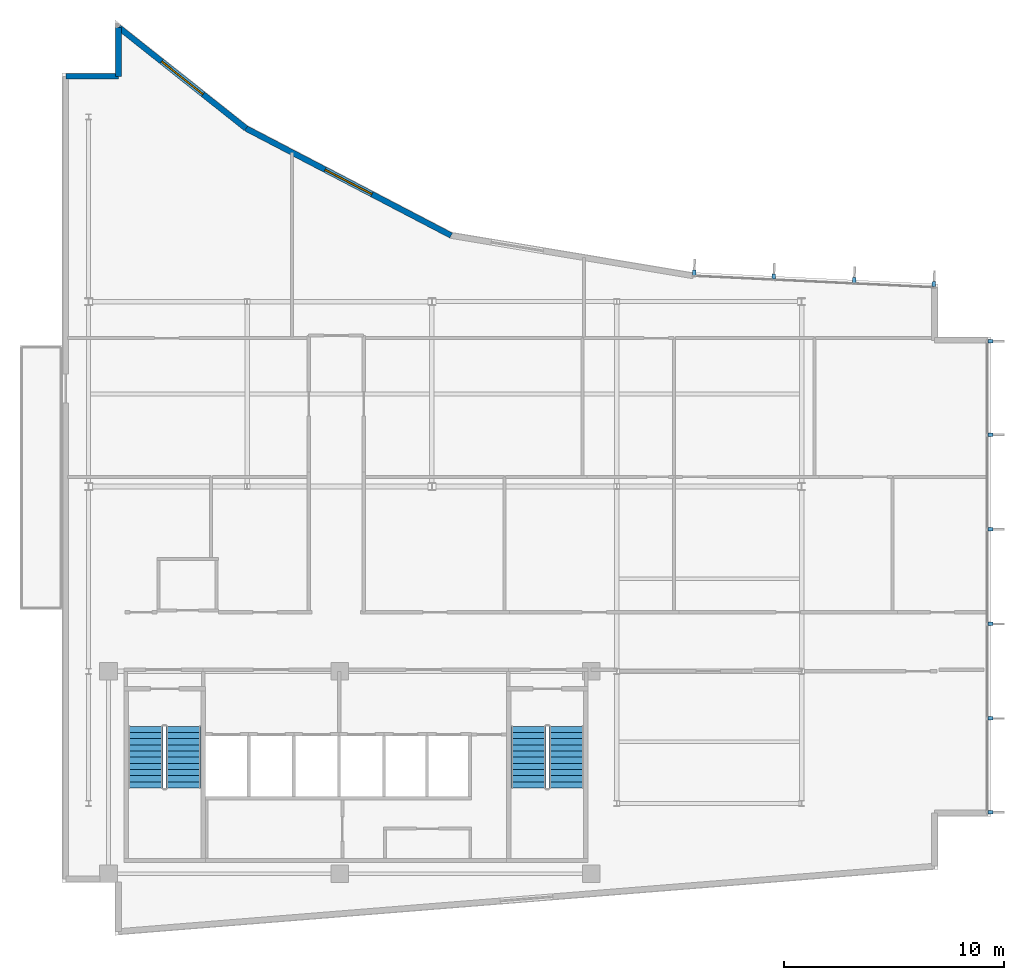
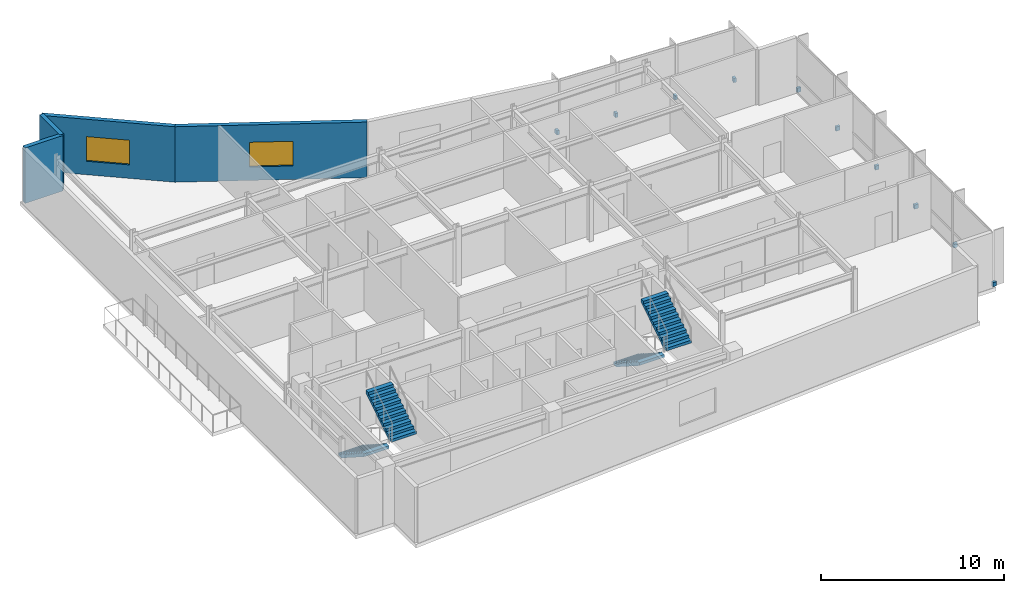
# One storey, part 13 of 16: 10 discrete accessories, 4 stair flights, 4 walls, 2 windows, 2 openings, 2 elements without a shape of their own.
"""IFC4 building model written with IfcOpenShell, lengths in metres."""

from ifc_helpers import new_model, si_unit, direction, frame, frame_2d, origin, origin_2d, place, context, subcontext, project, spatial, polyline, rectangle, outline, extrude, material, layer, layer_set, type_object, element, fill, aggregate, save


model = new_model("IFC4")

# Units and contexts
model_context = context("Model", 3, precision=1e-05, world=origin(), true_north=direction((0.0, 1.0)))
body_context = subcontext(model_context, "Body", "Model", "MODEL_VIEW")
ifc_project = project(units=[si_unit("LENGTHUNIT", "METRE"), si_unit("AREAUNIT", "SQUARE_METRE"), si_unit("VOLUMEUNIT", "CUBIC_METRE"), si_unit("PLANEANGLEUNIT", "RADIAN"), si_unit("MASSUNIT", "GRAM", prefix="KILO")], contexts=[model_context])

# Site, building, storey
site_placement = place(None, origin())
site = spatial("IfcSite", under=ifc_project, at=site_placement, CompositionType="ELEMENT")
building_placement = place(site_placement, origin())
building = spatial("IfcBuilding", under=site, at=building_placement, Name="Varnakote Quay Hospital", CompositionType="ELEMENT")
storey_placement = place(building_placement, frame((0.0, 0.0, 268.39990234375)))
storey = spatial("IfcBuildingStorey", under=building, at=storey_placement, Name="L66", CompositionType="ELEMENT", Elevation=268.39990234375)

# Wall, opening, window
ifc_material_1 = material(Name="Precast concrete N50 (f'c 50 MPa)", Category="concrete")
ifc_layer_1 = layer(ifc_material_1, 0.260009765625)
ifc_layer_set_1 = layer_set([ifc_layer_1], Name="Precast concrete N50 (f'c 50 MPa)")
wall_type = type_object("IfcWallType", Name="WL-EXT-BRICK-260", PredefinedType="STANDARD", material=ifc_layer_set_1)
wall_1_placement = place(storey_placement, frame((17.672607421875, 31.806396484375, 0.0), z_axis=(0.0, 0.0, 1.0), x_axis=(-0.886426635565, 0.462869117311, 0.0)))
wall_1 = element("IfcWall", 1, at=wall_1_placement, inside=storey, type_object=wall_type, Name="L66 Brick-Faced Precast Exterior Wall", PredefinedType="STANDARD", context=body_context, shape_type="SweptSolid", body=[
    extrude(rectangle(XDim=10.51416015625, YDim=0.260009765625, at=frame_2d((5.257080078125, 0.0))), origin(), (0.0, 0.0, 1.0), 3.710205078125),
])
opening_1_placement = place(wall_1_placement, frame((4.05712890625, 0.0, 0.89990234375)))
opening_1 = element("IfcOpeningElement", 2, at=opening_1_placement, cuts=wall_1, Name="Opening WN-0268", PredefinedType="OPENING", context=body_context, shape_type="SweptSolid", body=[
    extrude(rectangle(XDim=2.39990234375, YDim=1.64990234375, at=frame_2d((1.199951171875, 0.824951171875))), frame((0.0, 0.139892578125, 0.0), z_axis=(0.0, -1.0, 0.0), x_axis=(1.0, 0.0, 0.0)), (0.0, 0.0, 1.0), 0.280029296875),
])
ifc_material_2 = material(Name="Double-glazed low-E solar glass", Category="glass")
window_type = type_object("IfcWindowType", Name="WIN-CLIN-2400x1650", PartitioningType="SINGLE_PANEL", PredefinedType="WINDOW", material=ifc_material_2)
window_1_placement = place(opening_1_placement, origin())
window_1 = element("IfcWindow", 3, at=window_1_placement, inside=storey, type_object=window_type, Name="L66 Solar-Control Clinical Window", OverallHeight=1.64990234375, OverallWidth=2.39990234375, PartitioningType="SINGLE_PANEL", PredefinedType="WINDOW", context=body_context, shape_type="SweptSolid", body=[
    extrude(rectangle(XDim=2.39990234375, YDim=1.64990234375, at=frame_2d((1.199951171875, 0.824951171875))), frame((0.0, 0.030029296875, 0.0), z_axis=(0.0, -1.0, 0.0), x_axis=(1.0, 0.0, 0.0)), (0.0, 0.0, 1.0), 0.06005859375),
])
fill(opening_1, window_1)

wall_2_placement = place(storey_placement, frame((8.3525390625, 36.673095703125, 0.0), z_axis=(0.0, 0.0, 1.0), x_axis=(-0.783387911746, 0.621533088203, 0.0)))
wall_2 = element("IfcWall", 4, at=wall_2_placement, inside=storey, type_object=wall_type, Name="L66 Brick-Faced Precast Exterior Wall", PredefinedType="STANDARD", context=body_context, shape_type="SweptSolid", body=[
    extrude(rectangle(XDim=7.39404296875, YDim=0.260009765625, at=frame_2d((3.697021484375, 0.0))), origin(), (0.0, 0.0, 1.0), 3.710205078125),
])
opening_2_placement = place(wall_2_placement, frame((2.4970703125, 0.0, 0.89990234375)))
opening_2 = element("IfcOpeningElement", 5, at=opening_2_placement, cuts=wall_2, Name="Opening WN-0269", PredefinedType="OPENING", context=body_context, shape_type="SweptSolid", body=[
    extrude(rectangle(XDim=2.39990234375, YDim=1.64990234375, at=frame_2d((1.199951171875, 0.824951171875))), frame((0.0, 0.139892578125, 0.0), z_axis=(0.0, -1.0, 0.0), x_axis=(1.0, 0.0, 0.0)), (0.0, 0.0, 1.0), 0.280029296875),
])
window_2_placement = place(opening_2_placement, origin())
window_2 = element("IfcWindow", 6, at=window_2_placement, inside=storey, type_object=window_type, Name="L66 Solar-Control Clinical Window", OverallHeight=1.64990234375, OverallWidth=2.39990234375, PartitioningType="SINGLE_PANEL", PredefinedType="WINDOW", context=body_context, shape_type="SweptSolid", body=[
    extrude(rectangle(XDim=2.39990234375, YDim=1.64990234375, at=frame_2d((1.199951171875, 0.824951171875))), frame((0.0, 0.030029296875, 0.0), z_axis=(0.0, -1.0, 0.0), x_axis=(1.0, 0.0, 0.0)), (0.0, 0.0, 1.0), 0.06005859375),
])
fill(opening_2, window_2)

# Walls
wall_3_placement = place(storey_placement, frame((2.56005859375, 41.268798828125, 0.0), z_axis=(0.0, 0.0, 1.0), x_axis=(0.0, -1.0, 0.0)))
element("IfcWall", 7, at=wall_3_placement, inside=storey, type_object=wall_type, Name="L66 Brick-Faced Precast Exterior Wall", PredefinedType="STANDARD", context=body_context, shape_type="SweptSolid", body=[
    extrude(rectangle(XDim=2.228759765625, YDim=0.260009765625, at=frame_2d((1.1142578125, 0.0))), origin(), (0.0, 0.0, 1.0), 3.710205078125),
])
wall_4_placement = place(storey_placement, frame((2.56005859375, 39.0400390625, 0.0), z_axis=(0.0, 0.0, 1.0), x_axis=(-1.0, 0.0, 0.0)))
element("IfcWall", 8, at=wall_4_placement, inside=storey, type_object=wall_type, Name="L66 Brick-Faced Precast Exterior Wall", PredefinedType="STANDARD", context=body_context, shape_type="SweptSolid", body=[
    extrude(rectangle(XDim=2.400146484375, YDim=0.260009765625, at=frame_2d((1.2001953125, 0.0))), origin(), (0.0, 0.0, 1.0), 3.710205078125),
])

# Stair, stair flights
ifc_material_3 = material(Name="Concrete N40 (f'c 40 MPa)", Category="concrete")
stair_type = type_object("IfcStairType", Name="STR-CORE-1580", PredefinedType="HALF_TURN_STAIR", material=ifc_material_3)
stair_1_placement = place(storey_placement, origin())
stair_1 = element("IfcStair", 9, at=stair_1_placement, inside=storey, type_object=stair_type, Name="L66 Fire-Isolated Exit Stair ST-01", PredefinedType="HALF_TURN_STAIR")
ifc_material_4 = material(Name="Concrete N40 (f'c 40 MPa)", Category="concrete")
ifc_layer_2 = layer(ifc_material_4, 0.159912109375)
ifc_layer_set_2 = layer_set([ifc_layer_2], Name="Concrete N40 (f'c 40 MPa)")
stair_flight_type = type_object("IfcStairFlightType", Name="FLT-CORE-1580", PredefinedType="STRAIGHT", material=ifc_layer_set_2)
stair_flight_1_placement = place(storey_placement, frame((3.7900390625, 9.5, 0.0), z_axis=(0.0, 0.0, 1.0), x_axis=(0.0, -1.0, 0.0)))
stair_flight_1 = element("IfcStairFlight", 10, at=stair_flight_1_placement, type_object=stair_flight_type, Name="ST-01 flight 1", NumberOfRisers=11, NumberOfTreads=10, PredefinedType="STRAIGHT", RiserHeight=0.179545455, TreadLength=0.28, context=body_context, shape_type="SweptSolid", body=[
    extrude(outline(polyline([(0.0, 0.0), (0.0, 0.179443359375), (0.280029296875, 0.179443359375), (0.280029296875, 0.359130859375), (0.56005859375, 0.359130859375), (0.56005859375, 0.53857421875), (0.840087890625, 0.53857421875), (0.840087890625, 0.71826171875), (1.1201171875, 0.71826171875), (1.1201171875, 0.897705078125), (1.39990234375, 0.897705078125), (1.39990234375, 1.077392578125), (1.679931640625, 1.077392578125), (1.679931640625, 1.2568359375), (1.9599609375, 1.2568359375), (1.9599609375, 1.436279296875), (2.239990234375, 1.436279296875), (2.239990234375, 1.615966796875), (2.52001953125, 1.615966796875), (2.52001953125, 1.79541015625), (2.800048828125, 1.79541015625), (2.800048828125, 1.97509765625), (2.800048828125, 1.60546875), (0.296142578125, 0.0), (0.0, 0.0)])), frame((0.0, 0.7900390625, 0.0), z_axis=(0.0, -1.0, 0.0), x_axis=(1.0, 0.0, 0.0)), (0.0, 0.0, 1.0), 1.580078125),
])
stair_flight_2_placement = place(storey_placement, frame((5.510009765625, 6.699951171875, 1.97509765625), z_axis=(0.0, 0.0, 1.0), x_axis=(0.0, 1.0, 0.0)))
stair_flight_2 = element("IfcStairFlight", 11, at=stair_flight_2_placement, type_object=stair_flight_type, Name="ST-01 flight 2", NumberOfRisers=11, NumberOfTreads=10, PredefinedType="STRAIGHT", RiserHeight=0.179545455, TreadLength=0.28, context=body_context, shape_type="SweptSolid", body=[
    extrude(outline(polyline([(0.0, 0.0), (0.0, 0.179443359375), (0.280029296875, 0.179443359375), (0.280029296875, 0.359130859375), (0.56005859375, 0.359130859375), (0.56005859375, 0.53857421875), (0.840087890625, 0.53857421875), (0.840087890625, 0.71826171875), (1.1201171875, 0.71826171875), (1.1201171875, 0.897705078125), (1.39990234375, 0.897705078125), (1.39990234375, 1.077392578125), (1.679931640625, 1.077392578125), (1.679931640625, 1.2568359375), (1.9599609375, 1.2568359375), (1.9599609375, 1.436279296875), (2.239990234375, 1.436279296875), (2.239990234375, 1.615966796875), (2.52001953125, 1.615966796875), (2.52001953125, 1.79541015625), (2.800048828125, 1.79541015625), (2.800048828125, 1.97509765625), (2.800048828125, 1.60546875), (0.296142578125, 0.0), (0.0, 0.0)])), frame((0.0, 0.7900390625, 0.0), z_axis=(0.0, -1.0, 0.0), x_axis=(1.0, 0.0, 0.0)), (0.0, 0.0, 1.0), 1.580078125),
])
aggregate(stair_1, [stair_flight_1, stair_flight_2])

stair_2_placement = place(storey_placement, origin())
stair_2 = element("IfcStair", 12, at=stair_2_placement, inside=storey, type_object=stair_type, Name="L66 Fire-Isolated Exit Stair ST-02", PredefinedType="HALF_TURN_STAIR")
stair_flight_3_placement = place(storey_placement, frame((21.18994140625, 9.5, 0.0), z_axis=(0.0, 0.0, 1.0), x_axis=(0.0, -1.0, 0.0)))
stair_flight_3 = element("IfcStairFlight", 13, at=stair_flight_3_placement, type_object=stair_flight_type, Name="ST-02 flight 1", NumberOfRisers=11, NumberOfTreads=10, PredefinedType="STRAIGHT", RiserHeight=0.179545455, TreadLength=0.28, context=body_context, shape_type="SweptSolid", body=[
    extrude(outline(polyline([(0.0, 0.0), (0.0, 0.179443359375), (0.280029296875, 0.179443359375), (0.280029296875, 0.359130859375), (0.56005859375, 0.359130859375), (0.56005859375, 0.53857421875), (0.840087890625, 0.53857421875), (0.840087890625, 0.71826171875), (1.1201171875, 0.71826171875), (1.1201171875, 0.897705078125), (1.39990234375, 0.897705078125), (1.39990234375, 1.077392578125), (1.679931640625, 1.077392578125), (1.679931640625, 1.2568359375), (1.9599609375, 1.2568359375), (1.9599609375, 1.436279296875), (2.239990234375, 1.436279296875), (2.239990234375, 1.615966796875), (2.52001953125, 1.615966796875), (2.52001953125, 1.79541015625), (2.800048828125, 1.79541015625), (2.800048828125, 1.97509765625), (2.800048828125, 1.60546875), (0.296142578125, 0.0), (0.0, 0.0)])), frame((0.0, 0.7900390625, 0.0), z_axis=(0.0, -1.0, 0.0), x_axis=(1.0, 0.0, 0.0)), (0.0, 0.0, 1.0), 1.580078125),
])
stair_flight_4_placement = place(storey_placement, frame((22.909912109375, 6.699951171875, 1.97509765625), z_axis=(0.0, 0.0, 1.0), x_axis=(0.0, 1.0, 0.0)))
stair_flight_4 = element("IfcStairFlight", 14, at=stair_flight_4_placement, type_object=stair_flight_type, Name="ST-02 flight 2", NumberOfRisers=11, NumberOfTreads=10, PredefinedType="STRAIGHT", RiserHeight=0.179545455, TreadLength=0.28, context=body_context, shape_type="SweptSolid", body=[
    extrude(outline(polyline([(0.0, 0.0), (0.0, 0.179443359375), (0.280029296875, 0.179443359375), (0.280029296875, 0.359130859375), (0.56005859375, 0.359130859375), (0.56005859375, 0.53857421875), (0.840087890625, 0.53857421875), (0.840087890625, 0.71826171875), (1.1201171875, 0.71826171875), (1.1201171875, 0.897705078125), (1.39990234375, 0.897705078125), (1.39990234375, 1.077392578125), (1.679931640625, 1.077392578125), (1.679931640625, 1.2568359375), (1.9599609375, 1.2568359375), (1.9599609375, 1.436279296875), (2.239990234375, 1.436279296875), (2.239990234375, 1.615966796875), (2.52001953125, 1.615966796875), (2.52001953125, 1.79541015625), (2.800048828125, 1.79541015625), (2.800048828125, 1.97509765625), (2.800048828125, 1.60546875), (0.296142578125, 0.0), (0.0, 0.0)])), frame((0.0, 0.7900390625, 0.0), z_axis=(0.0, -1.0, 0.0), x_axis=(1.0, 0.0, 0.0)), (0.0, 0.0, 1.0), 1.580078125),
])
aggregate(stair_2, [stair_flight_3, stair_flight_4])

# Discrete accessories
ifc_material_5 = material(Name="Anodised aluminium 6063-T6 Bronze", Category="aluminium")
discrete_accessory_type = type_object("IfcDiscreteAccessoryType", Name="ACC-FIN-BRACKET-180", PredefinedType="BRACKET", material=ifc_material_5)
for number, where, z_axis, x_axis, name in (
    (15, (42.18994140625, 5.592529296875, 0.0), (0.0, 0.0, 1.0), (0.0, 1.0, 0.0), "L66 Curtain Wall Fin Fixing Bracket"),
    (16, (42.18994140625, 9.85595703125, 0.0), (0.0, 0.0, 1.0), (0.0, 1.0, 0.0), "L66 Curtain Wall Fin Fixing Bracket"),
    (17, (42.18994140625, 14.152099609375, 0.0), (0.0, 0.0, 1.0), (0.0, 1.0, 0.0), "L66 Curtain Wall Fin Fixing Bracket"),
    (18, (42.18994140625, 18.447998046875, 0.0), (0.0, 0.0, 1.0), (0.0, 1.0, 0.0), "L66 Curtain Wall Fin Fixing Bracket"),
    (19, (42.18994140625, 22.743896484375, 0.0), (0.0, 0.0, 1.0), (0.0, 1.0, 0.0), "L66 Curtain Wall Fin Fixing Bracket"),
    (20, (42.18994140625, 27.007568359375, 0.0), (0.0, 0.0, 1.0), (0.0, 1.0, 0.0), "L66 Curtain Wall Fin Fixing Bracket"),
    (21, (39.61474609375, 29.598876953125, 0.0), (0.0, 0.0, 1.0), (-0.998873370853, 0.047455126176, 0.0), "L66 Curtain Wall Fin Fixing Bracket"),
    (22, (35.993408203125, 29.77099609375, 0.0), (0.0, 0.0, 1.0), (-0.998873370853, 0.047455126176, 0.0), "L66 Curtain Wall Fin Fixing Bracket"),
    (23, (32.33984375, 29.944580078125, 0.0), (0.0, 0.0, 1.0), (-0.998873370853, 0.047455126176, 0.0), "L66 Curtain Wall Fin Fixing Bracket"),
    (24, (28.718505859375, 30.116943359375, 0.0), (0.0, 0.0, 1.0), (-0.998873370853, 0.047455126176, 0.0), "L66 Curtain Wall Fin Fixing Bracket"),
):
    element("IfcDiscreteAccessory", number, at=place(storey_placement, frame(where, z_axis=z_axis, x_axis=x_axis)), inside=storey, type_object=discrete_accessory_type, Name=name, PredefinedType="BRACKET", context=body_context, shape_type="SweptSolid", body=[
        extrude(rectangle(XDim=0.159912109375, YDim=0.239990234375, at=origin_2d()), origin(), (0.0, 0.0, 1.0), 0.280029296875),
    ])

save(model, "model.ifc")
